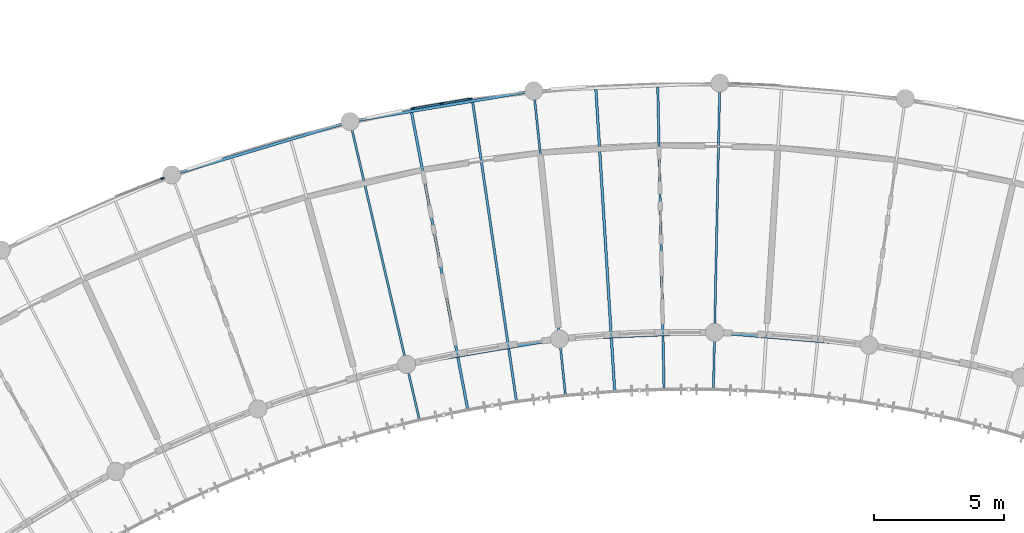
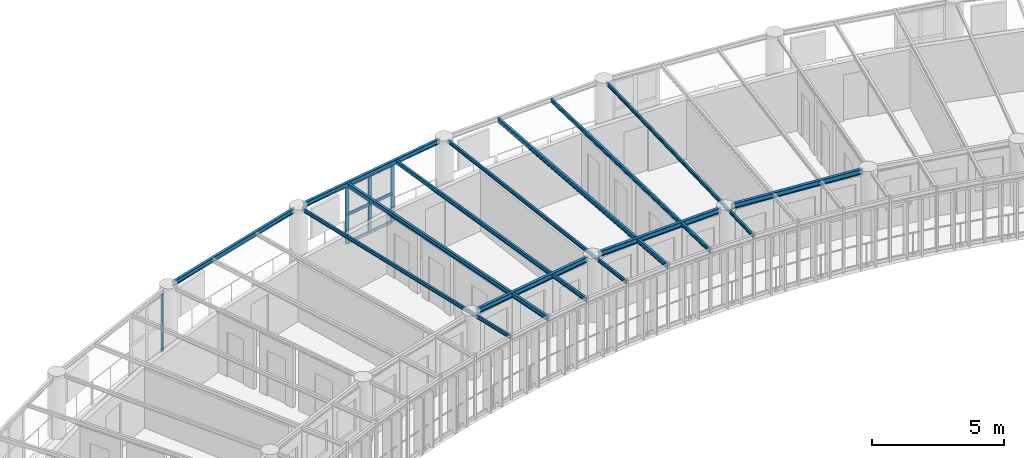
# One storey, part 33 of 100: 12 beams, 10 members, 2 elements without a shape of their own.
"""IFC4 building model written with IfcOpenShell, lengths in metres."""

from ifc_helpers import new_model, si_unit, direction, frame, origin, origin_2d, place, context, subcontext, project, spatial, rectangle, i_section, extrude, material, layer, layer_set, material_profile, profile_set, type_object, element, aggregate, save


model = new_model("IFC4")

# Units and contexts
model_context = context("Model", 3, precision=1e-05, world=origin(), true_north=direction((0.0, 1.0)))
body_context = subcontext(model_context, "Body", "Model", "MODEL_VIEW")
ifc_project = project(units=[si_unit("LENGTHUNIT", "METRE"), si_unit("AREAUNIT", "SQUARE_METRE"), si_unit("VOLUMEUNIT", "CUBIC_METRE"), si_unit("PLANEANGLEUNIT", "RADIAN"), si_unit("MASSUNIT", "GRAM", prefix="KILO"), si_unit("POWERUNIT", "WATT"), si_unit("THERMODYNAMICTEMPERATUREUNIT", "KELVIN")], contexts=[model_context])

# Site, building, storey
site_placement = place(None, origin())
site = spatial("IfcSite", under=ifc_project, at=site_placement, CompositionType="ELEMENT")
building_placement = place(site_placement, origin())
building = spatial("IfcBuilding", under=site, at=building_placement, Name="Ruvembo Vaulted Housing Court", CompositionType="ELEMENT")
storey_placement = place(building_placement, frame((0.0, 0.0, 10.89990234375)))
storey = spatial("IfcBuildingStorey", under=building, at=storey_placement, Name="L03", CompositionType="ELEMENT", Elevation=10.89990234375)

# Beams
ifc_material_1 = material(Name="Steel S355J2", Category="steel")
ifc_material_profile_1 = material_profile(ifc_material_1, i_section(OverallWidth=0.08203125, OverallDepth=0.159912109375, WebThickness=0.0048828125, FlangeThickness=0.00732421875, FilletRadius=0.009033203125, at=origin_2d()), Name="IPE 160")
ifc_profile_set_1 = profile_set([ifc_material_profile_1], Name="Steel S355J2")
beam_type_1 = type_object("IfcBeamType", Name="BM-ST-IPE160", PredefinedType="JOIST", material=ifc_profile_set_1)
beam_1_placement = place(storey_placement, frame((104.015380859375, 105.88134765625, 2.860107421875), z_axis=(0.226347402138, -0.97404663828, 0.0), x_axis=(0.97404663828, 0.226347402138, 0.0)))
element("IfcBeam", 1, at=beam_1_placement, inside=storey, type_object=beam_type_1, Name="Scoop SC3 L03 Radial Steel Joist 9", PredefinedType="JOIST", context=body_context, shape_type="SweptSolid", body=[
    extrude(i_section(OverallWidth=0.08203125, OverallDepth=0.159912109375, WebThickness=0.0048828125, FlangeThickness=0.00732421875, FilletRadius=0.009033203125, at=origin_2d()), origin(), (0.0, 0.0, 1.0), 11.610107421875),
])
beam_2_placement = place(storey_placement, frame((111.056884765625, 107.061279296875, 2.860107421875), z_axis=(0.103608684638, -0.994618138015, 0.0), x_axis=(0.994618138015, 0.103608684638, 0.0)))
element("IfcBeam", 2, at=beam_2_placement, inside=storey, type_object=beam_type_1, Name="Scoop SC3 L03 Radial Steel Joist 12", PredefinedType="JOIST", context=body_context, shape_type="SweptSolid", body=[
    extrude(i_section(OverallWidth=0.08203125, OverallDepth=0.159912109375, WebThickness=0.0048828125, FlangeThickness=0.00732421875, FilletRadius=0.009033203125, at=origin_2d()), origin(), (0.0, 0.0, 1.0), 11.60986328125),
])
beam_3_placement = place(storey_placement, frame((118.190673828125, 107.357666015625, 2.860107421875), z_axis=(-0.020754809044, -0.999784595751, 0.0), x_axis=(0.999784595751, -0.020754809044, 0.0)))
element("IfcBeam", 3, at=beam_3_placement, inside=storey, type_object=beam_type_1, Name="Scoop SC3 L03 Radial Steel Joist 15", PredefinedType="JOIST", context=body_context, shape_type="SweptSolid", body=[
    extrude(i_section(OverallWidth=0.08203125, OverallDepth=0.159912109375, WebThickness=0.0048828125, FlangeThickness=0.00732421875, FilletRadius=0.009033203125, at=origin_2d()), origin(), (0.0, 0.0, 1.0), 11.610107421875),
])
ifc_material_profile_2 = material_profile(ifc_material_1, i_section(OverallWidth=0.091064453125, OverallDepth=0.179931640625, WebThickness=0.00537109375, FlangeThickness=0.008056640625, FilletRadius=0.009033203125, at=origin_2d()), Name="IPE 180")
ifc_profile_set_2 = profile_set([ifc_material_profile_2], Name="Steel S355J2")
beam_type_2 = type_object("IfcBeamType", Name="BM-ST-IPE180", PredefinedType="JOIST", material=ifc_profile_set_2)
beam_4_placement = place(storey_placement, frame((108.6826171875, 106.845458984375, 2.85009765625), z_axis=(0.144762278676, -0.989466463642, 0.0), x_axis=(0.989466463642, 0.144762278676, 0.0)))
element("IfcBeam", 4, at=beam_4_placement, inside=storey, type_object=beam_type_2, Name="Scoop SC3 L03 Radial Steel Joist 11", PredefinedType="JOIST", context=body_context, shape_type="SweptSolid", body=[
    extrude(i_section(OverallWidth=0.091064453125, OverallDepth=0.179931640625, WebThickness=0.00537109375, FlangeThickness=0.008056640625, FilletRadius=0.009033203125, at=origin_2d()), origin(), (0.0, 0.0, 1.0), 11.690673828125),
])
beam_5_placement = place(storey_placement, frame((115.8076171875, 107.4384765625, 2.85009765625), z_axis=(0.020757495044, -0.999784539988, 0.0), x_axis=(0.999784539988, 0.020757495044, 0.0)))
element("IfcBeam", 5, at=beam_5_placement, inside=storey, type_object=beam_type_2, Name="Scoop SC3 L03 Radial Steel Joist 14", PredefinedType="JOIST", context=body_context, shape_type="SweptSolid", body=[
    extrude(i_section(OverallWidth=0.091064453125, OverallDepth=0.179931640625, WebThickness=0.00537109375, FlangeThickness=0.008056640625, FilletRadius=0.009033203125, at=origin_2d()), origin(), (0.0, 0.0, 1.0), 11.69091796875),
])
ifc_material_profile_3 = material_profile(ifc_material_1, i_section(OverallWidth=0.10009765625, OverallDepth=0.199951171875, WebThickness=0.005615234375, FlangeThickness=0.008544921875, FilletRadius=0.011962890625, at=origin_2d()), Name="IPE 200")
ifc_profile_set_3 = profile_set([ifc_material_profile_3], Name="Steel S355J2")
beam_type_3 = type_object("IfcBeamType", Name="BM-ST-IPE200", PredefinedType="BEAM", material=ifc_profile_set_3)
for number, where, z_axis, x_axis, name in (
    (6, (106.33056640625, 106.451416015625, 2.840087890625), (0.185715658809, -0.982603528425, 0.0), (0.982603528425, 0.185715658809, 0.0), "Scoop SC3 L03 Radial Steel Joist 10"),
    (7, (113.425048828125, 107.33935546875, 2.840087890625), (0.062232670177, -0.998061668817, 0.0), (0.998061668817, 0.062232670177, 0.0), "Scoop SC3 L03 Radial Steel Joist 13"),
):
    element("IfcBeam", number, at=place(storey_placement, frame(where, z_axis=z_axis, x_axis=x_axis)), inside=storey, type_object=beam_type_3, Name=name, PredefinedType="BEAM", context=body_context, shape_type="SweptSolid", body=[
        extrude(i_section(OverallWidth=0.10009765625, OverallDepth=0.199951171875, WebThickness=0.005615234375, FlangeThickness=0.008544921875, FilletRadius=0.011962890625, at=origin_2d()), origin(), (0.0, 0.0, 1.0), 11.690673828125),
    ])
ifc_material_profile_4 = material_profile(ifc_material_1, i_section(OverallWidth=0.110107421875, OverallDepth=0.219970703125, WebThickness=0.005859375, FlangeThickness=0.00927734375, FilletRadius=0.011962890625, at=origin_2d()), Name="IPE 220")
ifc_profile_set_4 = profile_set([ifc_material_profile_4], Name="Steel S355J2")
beam_type_4 = type_object("IfcBeamType", Name="BM-ST-IPE220", PredefinedType="SPANDREL", material=ifc_profile_set_4)
beam_6_placement = place(storey_placement, frame((97.31591796875, 104.117431640625, 2.83203125), z_axis=(0.958081335052, 0.286496344522, 0.0), x_axis=(-0.286496344522, 0.958081335052, 0.0)))
element("IfcBeam", 8, at=beam_6_placement, inside=storey, type_object=beam_type_4, Name="Scoop SC3 L03 Chord Girder B6", PredefinedType="SPANDREL", context=body_context, shape_type="SweptSolid", body=[
    extrude(i_section(OverallWidth=0.110107421875, OverallDepth=0.219970703125, WebThickness=0.005859375, FlangeThickness=0.00927734375, FilletRadius=0.011962890625, at=origin_2d()), origin(), (0.0, 0.0, 1.0), 6.708251953125),
])
beam_7_placement = place(storey_placement, frame((104.190185546875, 106.143310546875, 2.83203125), z_axis=(0.986244010524, 0.165295951874, 0.0), x_axis=(-0.165295951874, 0.986244010524, 0.0)))
element("IfcBeam", 9, at=beam_7_placement, inside=storey, type_object=beam_type_4, Name="Scoop SC3 L03 Chord Girder B9", PredefinedType="SPANDREL", context=body_context, shape_type="SweptSolid", body=[
    extrude(i_section(OverallWidth=0.110107421875, OverallDepth=0.219970703125, WebThickness=0.005859375, FlangeThickness=0.00927734375, FilletRadius=0.011962890625, at=origin_2d()), origin(), (0.0, 0.0, 1.0), 6.70849609375),
])
ifc_material_profile_5 = material_profile(ifc_material_1, i_section(OverallWidth=0.1201171875, OverallDepth=0.239990234375, WebThickness=0.006103515625, FlangeThickness=0.009765625, FilletRadius=0.014892578125, at=origin_2d()), Name="IPE 240")
ifc_profile_set_5 = profile_set([ifc_material_profile_5], Name="Steel S355J2")
beam_type_5 = type_object("IfcBeamType", Name="BM-ST-IPE240", PredefinedType="BEAM", material=ifc_profile_set_5)
beam_8_placement = place(storey_placement, frame((106.363037109375, 96.79248046875, 2.822021484375), z_axis=(0.986243921556, 0.1652964827, 0.0), x_axis=(-0.1652964827, 0.986243921556, 0.0)))
element("IfcBeam", 10, at=beam_8_placement, inside=storey, type_object=beam_type_5, Name="Scoop SC3 L03 Chord Girder F9", PredefinedType="BEAM", context=body_context, shape_type="SweptSolid", body=[
    extrude(i_section(OverallWidth=0.1201171875, OverallDepth=0.239990234375, WebThickness=0.006103515625, FlangeThickness=0.009765625, FilletRadius=0.014892578125, at=origin_2d()), origin(), (0.0, 0.0, 1.0), 5.513671875),
])
beam_9_placement = place(storey_placement, frame((112.257568359375, 97.751220703125, 2.822021484375), z_axis=(0.999137059087, 0.041534770494, 0.0), x_axis=(-0.041534770494, 0.999137059087, 0.0)))
element("IfcBeam", 11, at=beam_9_placement, inside=storey, type_object=beam_type_5, Name="Scoop SC3 L03 Chord Girder F12", PredefinedType="BEAM", context=body_context, shape_type="SweptSolid", body=[
    extrude(i_section(OverallWidth=0.1201171875, OverallDepth=0.239990234375, WebThickness=0.006103515625, FlangeThickness=0.009765625, FilletRadius=0.014892578125, at=origin_2d()), origin(), (0.0, 0.0, 1.0), 5.513427734375),
])
beam_10_placement = place(storey_placement, frame((118.225341796875, 97.970703125, 2.822021484375), z_axis=(0.996555218009, -0.082931884451, 0.0), x_axis=(0.082931884451, 0.996555218009, 0.0)))
element("IfcBeam", 12, at=beam_10_placement, inside=storey, type_object=beam_type_5, Name="Scoop SC3 L03 Chord Girder F15", PredefinedType="BEAM", context=body_context, shape_type="SweptSolid", body=[
    extrude(i_section(OverallWidth=0.1201171875, OverallDepth=0.239990234375, WebThickness=0.006103515625, FlangeThickness=0.009765625, FilletRadius=0.014892578125, at=origin_2d()), origin(), (0.0, 0.0, 1.0), 5.513916015625),
])

# Curtain wall, member
ifc_material_2 = material(Name="Anodised Aluminium and Solar-Control Glass", Category="aluminium")
ifc_layer_1 = layer(ifc_material_2, 0.1201171875, Name="Anodised Aluminium and Solar-Control Glass")
ifc_layer_set_1 = layer_set([ifc_layer_1], Name="Anodised Aluminium and Solar-Control Glass")
curtain_wall_type_1 = type_object("IfcCurtainWallType", Name="CW-SCOOP-GAL", PredefinedType="NOTDEFINED", material=ifc_layer_set_1)
curtain_wall_1_placement = place(storey_placement, origin())
curtain_wall_1 = element("IfcCurtainWall", 13, at=curtain_wall_1_placement, inside=storey, type_object=curtain_wall_type_1, Name="L03 Curtain Wall CW-L03-0072", PredefinedType="NOTDEFINED")
ifc_material_3 = material(Name="Anodised Aluminium 6063-T6", Category="aluminium")
ifc_material_profile_6 = material_profile(ifc_material_3, rectangle(XDim=0.06005859375, YDim=0.139892578125, at=origin_2d()), Name="ALU 60x140")
ifc_profile_set_6 = profile_set([ifc_material_profile_6], Name="Anodised Aluminium 6063-T6")
member_type_1 = type_object("IfcMemberType", Name="CW-MUL-60x140", PredefinedType="MULLION", material=ifc_profile_set_6)
member_1_placement = place(storey_placement, frame((96.74169921875, 103.912841796875, 0.0), z_axis=(0.0, 0.0, 1.0), x_axis=(-0.365033747989, 0.930994287216, 0.0)))
member_1 = element("IfcMember", 14, at=member_1_placement, type_object=member_type_1, Name="CW6 mullion 3", PredefinedType="MULLION", context=body_context, shape_type="SweptSolid", body=[
    extrude(rectangle(XDim=0.06005859375, YDim=0.139892578125, at=origin_2d()), origin(), (0.0, 0.0, 1.0), 2.697998046875),
])
aggregate(curtain_wall_1, [member_1])

# Curtain wall, members
ifc_layer_2 = layer(ifc_material_2, 0.139892578125, Name="Anodised Aluminium and Solar-Control Glass")
ifc_layer_set_2 = layer_set([ifc_layer_2], Name="Anodised Aluminium and Solar-Control Glass")
curtain_wall_type_2 = type_object("IfcCurtainWallType", Name="CW-SCOOP-PAN", PredefinedType="NOTDEFINED", material=ifc_layer_set_2)
curtain_wall_2_placement = place(storey_placement, origin())
curtain_wall_2 = element("IfcCurtainWall", 15, at=curtain_wall_2_placement, inside=storey, type_object=curtain_wall_type_2, Name="L03 Curtain Wall CW-L03-0073", PredefinedType="NOTDEFINED")
ifc_material_profile_7 = material_profile(ifc_material_3, rectangle(XDim=0.06005859375, YDim=0.159912109375, at=origin_2d()), Name="ALU 60x160")
ifc_profile_set_7 = profile_set([ifc_material_profile_7], Name="Anodised Aluminium 6063-T6")
member_type_2 = type_object("IfcMemberType", Name="CW-MULLION-65x150", PredefinedType="MULLION", material=ifc_profile_set_7)
member_2_placement = place(storey_placement, frame((106.3818359375, 106.611328125, 0.0), z_axis=(0.0, 0.0, 1.0), x_axis=(-0.165262505305, 0.986249615635, 0.0)))
member_2 = element("IfcMember", 16, at=member_2_placement, type_object=member_type_2, Name="CW10 mullion 1", PredefinedType="MULLION", context=body_context, shape_type="SweptSolid", body=[
    extrude(rectangle(XDim=0.06005859375, YDim=0.159912109375, at=origin_2d()), origin(), (0.0, 0.0, 1.0), 2.697998046875),
])
member_3_placement = place(storey_placement, frame((107.48193359375, 106.795654296875, 0.0), z_axis=(0.0, 0.0, 1.0), x_axis=(-0.165262505305, 0.986249615635, 0.0)))
member_3 = element("IfcMember", 17, at=member_3_placement, type_object=member_type_2, Name="CW10 mullion 2", PredefinedType="MULLION", context=body_context, shape_type="SweptSolid", body=[
    extrude(rectangle(XDim=0.06005859375, YDim=0.159912109375, at=origin_2d()), origin(), (0.0, 0.0, 1.0), 2.697998046875),
])
member_4_placement = place(storey_placement, frame((108.58203125, 106.97998046875, 0.0), z_axis=(0.0, 0.0, 1.0), x_axis=(-0.165262505305, 0.986249615635, 0.0)))
member_4 = element("IfcMember", 18, at=member_4_placement, type_object=member_type_2, Name="CW10 mullion 3", PredefinedType="MULLION", context=body_context, shape_type="SweptSolid", body=[
    extrude(rectangle(XDim=0.06005859375, YDim=0.159912109375, at=origin_2d()), origin(), (0.0, 0.0, 1.0), 2.697998046875),
])
ifc_material_profile_8 = material_profile(ifc_material_3, rectangle(XDim=0.06494140625, YDim=0.135009765625, at=origin_2d()), Name="ALU 65x135")
ifc_profile_set_8 = profile_set([ifc_material_profile_8], Name="Anodised Aluminium 6063-T6")
member_type_3 = type_object("IfcMemberType", Name="CW-TRN-65x135", PredefinedType="USERDEFINED", material=ifc_profile_set_8)
member_5_placement = place(storey_placement, frame((106.411376953125, 106.6162109375, 0.03271484375), z_axis=(0.986268610863, 0.16514910604, 0.0), x_axis=(-0.16514910604, 0.986268610863, 0.0)))
member_5 = element("IfcMember", 19, at=member_5_placement, type_object=member_type_3, Name="CW10 transom 1.1", ObjectType="TRANSOM", PredefinedType="USERDEFINED", context=body_context, shape_type="SweptSolid", body=[
    extrude(rectangle(XDim=0.06494140625, YDim=0.135009765625, at=origin_2d()), origin(), (0.0, 0.0, 1.0), 1.055419921875),
])
member_6_placement = place(storey_placement, frame((106.411376953125, 106.6162109375, 1.34912109375), z_axis=(0.986268610863, 0.16514910604, 0.0), x_axis=(-0.16514910604, 0.986268610863, 0.0)))
member_6 = element("IfcMember", 20, at=member_6_placement, type_object=member_type_3, Name="CW10 transom 1.2", ObjectType="TRANSOM", PredefinedType="USERDEFINED", context=body_context, shape_type="SweptSolid", body=[
    extrude(rectangle(XDim=0.06494140625, YDim=0.135009765625, at=origin_2d()), origin(), (0.0, 0.0, 1.0), 1.055419921875),
])
member_7_placement = place(storey_placement, frame((106.411376953125, 106.6162109375, 2.66552734375), z_axis=(0.986268610863, 0.16514910604, 0.0), x_axis=(-0.16514910604, 0.986268610863, 0.0)))
member_7 = element("IfcMember", 21, at=member_7_placement, type_object=member_type_3, Name="CW10 transom 1.3", ObjectType="TRANSOM", PredefinedType="USERDEFINED", context=body_context, shape_type="SweptSolid", body=[
    extrude(rectangle(XDim=0.06494140625, YDim=0.135009765625, at=origin_2d()), origin(), (0.0, 0.0, 1.0), 1.055419921875),
])
member_8_placement = place(storey_placement, frame((107.511474609375, 106.800537109375, 0.03271484375), z_axis=(0.986230911972, 0.165374085849, 0.0), x_axis=(-0.165374085849, 0.986230911972, 0.0)))
member_8 = element("IfcMember", 22, at=member_8_placement, type_object=member_type_3, Name="CW10 transom 2.1", ObjectType="TRANSOM", PredefinedType="USERDEFINED", context=body_context, shape_type="SweptSolid", body=[
    extrude(rectangle(XDim=0.06494140625, YDim=0.135009765625, at=origin_2d()), origin(), (0.0, 0.0, 1.0), 1.0556640625),
])
member_9_placement = place(storey_placement, frame((107.511474609375, 106.800537109375, 1.34912109375), z_axis=(0.986230911972, 0.165374085849, 0.0), x_axis=(-0.165374085849, 0.986230911972, 0.0)))
member_9 = element("IfcMember", 23, at=member_9_placement, type_object=member_type_3, Name="CW10 transom 2.2", ObjectType="TRANSOM", PredefinedType="USERDEFINED", context=body_context, shape_type="SweptSolid", body=[
    extrude(rectangle(XDim=0.06494140625, YDim=0.135009765625, at=origin_2d()), origin(), (0.0, 0.0, 1.0), 1.0556640625),
])
member_10_placement = place(storey_placement, frame((107.511474609375, 106.800537109375, 2.66552734375), z_axis=(0.986230911972, 0.165374085849, 0.0), x_axis=(-0.165374085849, 0.986230911972, 0.0)))
member_10 = element("IfcMember", 24, at=member_10_placement, type_object=member_type_3, Name="CW10 transom 2.3", ObjectType="TRANSOM", PredefinedType="USERDEFINED", context=body_context, shape_type="SweptSolid", body=[
    extrude(rectangle(XDim=0.06494140625, YDim=0.135009765625, at=origin_2d()), origin(), (0.0, 0.0, 1.0), 1.0556640625),
])
aggregate(curtain_wall_2, [member_2, member_3, member_4, member_5, member_6, member_7, member_8, member_9, member_10])

save(model, "model.ifc")
